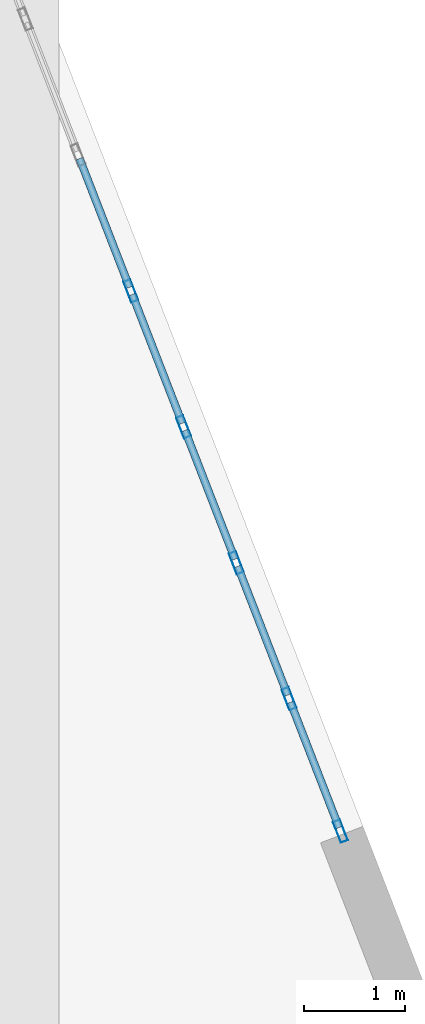
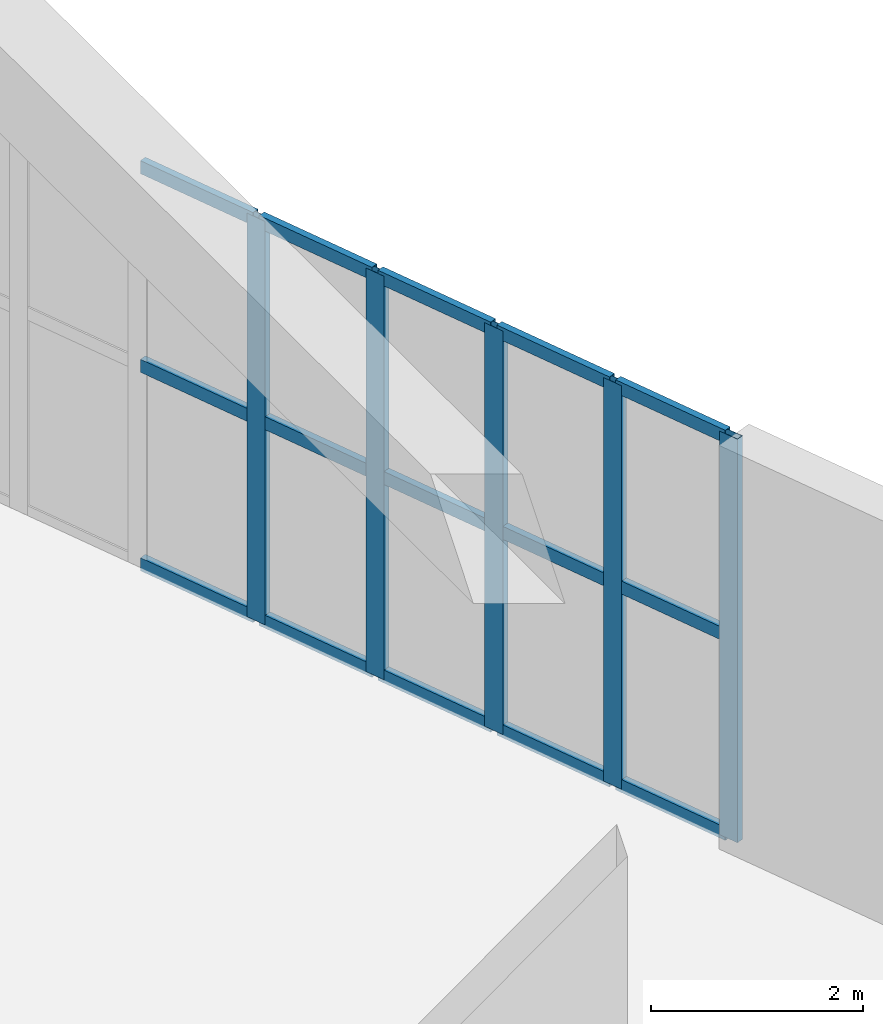
# One storey, part 21 of 35: 20 members, 1 element without a shape of its own.
"""IFC4 building model written with IfcOpenShell, lengths in metres."""

import ifcopenshell
import ifcopenshell.guid

model = None  # the IFC model being written
_history = None  # IfcOwnerHistory: only IFC2X3 demands one
_inside = {}  # id of a spatial element -> (the spatial element, [elements in it])
_under = {}  # id of a project, library or spatial element -> (it, [spatial elements below it])
_declared = {}  # id of a project -> (the project, [libraries it declares])
_typed = {}  # id of a type object -> (the type object, [elements of that type])
_made_of = {}  # id of a material, layer set ... -> (it, [elements and type objects made of it])


def new_model(schema):
    """Start an empty IFC model of exactly this schema.

    Asked for "IFC4X3", IfcOpenShell would pick the latest addendum, in which some entities
    have other attributes; the version numbers below select the first issue.
    IFC2X3 requires an IfcOwnerHistory on every rooted entity: one is made here for all.
    """
    global model, _history
    if schema == "IFC4X3":
        model = ifcopenshell.file(schema_version=(4, 3, 0, 0))
    else:
        model = ifcopenshell.file(schema=schema)
    _inside.clear()
    _under.clear()
    _declared.clear()
    _typed.clear()
    _made_of.clear()
    _history = None
    if model.schema == "IFC2X3":
        org = make("IfcOrganization", Name="unknown")
        user = make(
            "IfcPersonAndOrganization",
            ThePerson=make("IfcPerson", FamilyName="unknown"),
            TheOrganization=org,
        )
        app = make(
            "IfcApplication",
            ApplicationDeveloper=org,
            Version="unknown",
            ApplicationFullName="unknown",
            ApplicationIdentifier="unknown",
        )
        _history = make(
            "IfcOwnerHistory",
            OwningUser=user,
            OwningApplication=app,
            ChangeAction="ADDED",
            CreationDate=0,
        )
    return model


def make(cls, **values):
    """One entity of the class cls with the attributes given. An attribute that is None is left unset."""
    return model.create_entity(
        cls, **{name: value for name, value in values.items() if value is not None}
    )


def rooted(cls, **values):
    """An entity with a GlobalId (a new one), such as an element, a storey or a relation."""
    return make(cls, GlobalId=ifcopenshell.guid.new(), OwnerHistory=_history, **values)


def si_unit(unit_type, name, prefix=None):
    """IfcSIUnit, for example si_unit("LENGTHUNIT", "METRE", prefix="MILLI")."""
    return make("IfcSIUnit", UnitType=unit_type, Prefix=prefix, Name=name)


def assignment(units):
    """IfcUnitAssignment: the units of a project."""
    return None if units is None else make("IfcUnitAssignment", Units=units)


def point(xyz):
    """IfcCartesianPoint."""
    return None if xyz is None else make("IfcCartesianPoint", Coordinates=xyz)


def direction(xyz):
    """IfcDirection."""
    return None if xyz is None else make("IfcDirection", DirectionRatios=xyz)


def frame(location, z_axis=None, x_axis=None):
    """IfcAxis2Placement3D, a coordinate frame: its origin and axes. An axis left out is left unset."""
    return make(
        "IfcAxis2Placement3D",
        Location=point(location),
        Axis=direction(z_axis),
        RefDirection=direction(x_axis),
    )


def frame_2d(location, x_axis=None):
    """IfcAxis2Placement2D, a coordinate frame in the plane: its origin and x axis."""
    return make(
        "IfcAxis2Placement2D", Location=point(location), RefDirection=direction(x_axis)
    )


def origin():
    """The frame at (0, 0, 0) with its axes left unset."""
    return frame((0.0, 0.0, 0.0))


def origin_2d():
    """The frame at (0, 0) in the plane with its x axis left unset."""
    return frame_2d((0.0, 0.0))


def place(relative_to, where):
    """IfcLocalPlacement: puts the frame where relative to a parent placement (None: the world)."""
    return make(
        "IfcLocalPlacement", PlacementRelTo=relative_to, RelativePlacement=where
    )


def context(
    kind, dimensions, precision=None, world=None, true_north=None, identifier=None
):
    """IfcGeometricRepresentationContext, for example the 3D "Model" context."""
    return make(
        "IfcGeometricRepresentationContext",
        ContextIdentifier=identifier,
        ContextType=kind,
        CoordinateSpaceDimension=dimensions,
        Precision=precision,
        WorldCoordinateSystem=world,
        TrueNorth=true_north,
    )


def subcontext(parent, identifier, kind, view, scale=None):
    """IfcGeometricRepresentationSubContext, for example "Body" below "Model"."""
    return make(
        "IfcGeometricRepresentationSubContext",
        ContextIdentifier=identifier,
        ContextType=kind,
        ParentContext=parent,
        TargetScale=scale,
        TargetView=view,
    )


def project(units=None, contexts=None):
    """IfcProject with its units and contexts."""
    return rooted(
        "IfcProject",
        Name="project",
        RepresentationContexts=contexts,
        UnitsInContext=assignment(units),
    )


def spatial(cls, under=None, at=None, **own):
    """A site, building, storey or space (cls), placed at a placement, below another one or the project."""
    s = rooted(cls, ObjectPlacement=at, **own)
    if under is not None:
        _under.setdefault(under.id(), (under, []))[1].append(s)
    return s


def profile(cls, at=None, kind="AREA", **sizes):
    """A parametric profile (cls). Its sizes go by their IFC names, for example OverallWidth=200.0."""
    return make(cls, ProfileType=kind, Position=at, **sizes)


def hollow_rectangle(**sizes):
    """IfcRectangleHollowProfileDef."""
    return profile("IfcRectangleHollowProfileDef", **sizes)


def extrude(swept, where, along, depth):
    """IfcExtrudedAreaSolid: the profile swept, set in the frame where, extruded along a direction by depth."""
    return make(
        "IfcExtrudedAreaSolid",
        SweptArea=swept,
        Position=where,
        ExtrudedDirection=direction(along),
        Depth=depth,
    )


def shape(context_of_items, identifier, shape_type, items):
    """IfcShapeRepresentation: the items that make up one representation, for example the "Body"."""
    return make(
        "IfcShapeRepresentation",
        ContextOfItems=context_of_items,
        RepresentationIdentifier=identifier,
        RepresentationType=shape_type,
        Items=items,
    )


def material(Name=None, Category=None):
    """IfcMaterial."""
    return make("IfcMaterial", Name=Name, Category=Category)


def layer(
    of_material, thickness, ventilated=None, Name=None, Category=None, Priority=None
):
    """IfcMaterialLayer: one layer of a wall or slab, of a material (None: an air gap)."""
    return make(
        "IfcMaterialLayer",
        Material=of_material,
        LayerThickness=thickness,
        IsVentilated=ventilated,
        Name=Name,
        Category=Category,
        Priority=Priority,
    )


def layer_set(layers, Name=None):
    """IfcMaterialLayerSet."""
    return make("IfcMaterialLayerSet", MaterialLayers=layers, LayerSetName=Name)


def material_profile(
    of_material, cross_section, Name=None, Category=None, Priority=None
):
    """IfcMaterialProfile: a cross section and its material."""
    return make(
        "IfcMaterialProfile",
        Name=Name,
        Material=of_material,
        Profile=cross_section,
        Priority=Priority,
        Category=Category,
    )


def profile_set(profiles, Name=None, composite=None):
    """IfcMaterialProfileSet."""
    return make(
        "IfcMaterialProfileSet",
        Name=Name,
        MaterialProfiles=profiles,
        CompositeProfile=composite,
    )


def made_of(thing, what):
    """Note that an element or type object is made of a material, layer set ...; save() writes the relation."""
    if what is not None:
        _made_of.setdefault(what.id(), (what, []))[1].append(thing)
    return thing


def type_object(cls, material=None, **own):
    """A type object (cls), such as IfcWallType, which elements share."""
    return made_of(rooted(cls, **own), material)


def element(
    cls,
    number,
    at=None,
    inside=None,
    cuts=None,
    type_object=None,
    material=None,
    context=None,
    identifier="Body",
    shape_type=None,
    held_by="IfcProductDefinitionShape",
    body=None,
    shapes=None,
    **own,
):
    """One element of the class cls, such as IfcWall. Its Tag is "e" and its number.

    at: its placement. inside: the storey or other place that contains it. cuts: it is an
    opening in that element (IfcRelVoidsElement). A single representation is given by context,
    identifier, shape_type and body (its items); several are given by shapes. held_by: the class
    of the entity that holds the representations. save() writes the other relations.
    """
    e = rooted(cls, Tag="e%d" % number, ObjectPlacement=at, **own)
    if body is not None:
        shapes = [shape(context, identifier, shape_type, body)]
    if shapes is not None:
        e.Representation = make(held_by, Representations=shapes)
    if inside is not None:
        _inside.setdefault(inside.id(), (inside, []))[1].append(e)
    if cuts is not None:
        rooted(
            "IfcRelVoidsElement", RelatingBuildingElement=cuts, RelatedOpeningElement=e
        )
    if type_object is not None:
        _typed.setdefault(type_object.id(), (type_object, []))[1].append(e)
    return made_of(e, material)


def aggregate(whole, parts):
    """IfcRelAggregates: a whole, such as a stair, and the parts it consists of."""
    return rooted("IfcRelAggregates", RelatingObject=whole, RelatedObjects=parts)


def save(model, path):
    """Write the relations noted so far, then the file.

    IfcRelAggregates (storeys below a building ...), IfcRelContainedInSpatialStructure (elements
    in a storey), IfcRelDefinesByType, IfcRelAssociatesMaterial and IfcRelDeclares: one each for
    every whole, place, type object, material and project.
    """
    for whole, parts in _under.values():
        aggregate(whole, parts)
    for where, things in _inside.values():
        rooted(
            "IfcRelContainedInSpatialStructure",
            RelatedElements=things,
            RelatingStructure=where,
        )
    for kind, things in _typed.values():
        rooted("IfcRelDefinesByType", RelatedObjects=things, RelatingType=kind)
    for what, things in _made_of.values():
        rooted("IfcRelAssociatesMaterial", RelatedObjects=things, RelatingMaterial=what)
    for by, libraries in _declared.values():
        rooted("IfcRelDeclares", RelatingContext=by, RelatedDefinitions=libraries)
    model.write(path)


model = new_model("IFC4")

# Units and contexts
model_context = context("Model", 3, precision=1e-05, world=origin(), true_north=direction((0.0, 1.0)))
body_context = subcontext(model_context, "Body", "Model", "MODEL_VIEW")
ifc_project = project(units=[si_unit("LENGTHUNIT", "METRE"), si_unit("AREAUNIT", "SQUARE_METRE"), si_unit("VOLUMEUNIT", "CUBIC_METRE"), si_unit("PLANEANGLEUNIT", "RADIAN"), si_unit("MASSUNIT", "GRAM", prefix="KILO")], contexts=[model_context])

# Site, building, storey
site_placement = place(None, origin())
site = spatial("IfcSite", under=ifc_project, at=site_placement, CompositionType="ELEMENT")
building_placement = place(site_placement, origin())
building = spatial("IfcBuilding", under=site, at=building_placement, Name="Kilnhurst Terrace Hotel", CompositionType="ELEMENT")
storey_placement = place(building_placement, origin())
storey = spatial("IfcBuildingStorey", under=building, at=storey_placement, Name="L00", CompositionType="ELEMENT", Elevation=0.0)

# Curtain wall, members
ifc_material_1 = material(Name="Anodized Aluminium Alloy 6063-T6 and Low-E Glass", Category="aluminium")
ifc_layer = layer(ifc_material_1, 0.219970703125, Name="Anodized Aluminium Alloy 6063-T6 and Low-E Glass")
ifc_layer_set = layer_set([ifc_layer], Name="Anodized Aluminium Alloy 6063-T6 and Low-E Glass")
curtain_wall_type = type_object("IfcCurtainWallType", Name="CW-POD-LOBBY", PredefinedType="NOTDEFINED", material=ifc_layer_set)
curtain_wall_placement = place(storey_placement, origin())
curtain_wall = element("IfcCurtainWall", 1, at=curtain_wall_placement, inside=storey, type_object=curtain_wall_type, Name="L00 Curtain Wall CW-L00-F3-1", PredefinedType="NOTDEFINED")
ifc_material_2 = material(Name="Extruded Aluminium Alloy 6063-T6", Category="aluminium")
ifc_material_profile_1 = material_profile(ifc_material_2, hollow_rectangle(XDim=0.074951171875, YDim=0.219970703125, WallThickness=0.00390625, at=origin_2d()), Name="CWM75X220")
ifc_profile_set_1 = profile_set([ifc_material_profile_1], Name="Extruded Aluminium Alloy 6063-T6")
member_type_1 = type_object("IfcMemberType", Name="MEM-CWM75X220", PredefinedType="MULLION", material=ifc_profile_set_1)
member_1_placement = place(storey_placement, frame((30.75244140625, 9.51025390625, 0.0), z_axis=(0.0, 0.0, 1.0), x_axis=(-0.932318230572, -0.361638931731, 0.0)))
member_1 = element("IfcMember", 2, at=member_1_placement, type_object=member_type_1, Name="CWL-1 mullion 1", PredefinedType="MULLION", context=body_context, shape_type="SweptSolid", body=[
    extrude(hollow_rectangle(XDim=0.074951171875, YDim=0.219970703125, WallThickness=0.00390625, at=origin_2d()), origin(), (0.0, 0.0, 1.0), 4.64990234375),
])
member_2_placement = place(storey_placement, frame((30.24560546875, 10.81689453125, 0.0), z_axis=(0.0, 0.0, 1.0), x_axis=(-0.932318230572, -0.361638931731, 0.0)))
member_2 = element("IfcMember", 3, at=member_2_placement, type_object=member_type_1, Name="CWL-1 mullion 2", PredefinedType="MULLION", context=body_context, shape_type="SweptSolid", body=[
    extrude(hollow_rectangle(XDim=0.074951171875, YDim=0.219970703125, WallThickness=0.00390625, at=origin_2d()), origin(), (0.0, 0.0, 1.0), 4.64990234375),
])
member_3_placement = place(storey_placement, frame((29.72509765625, 12.158447265625, 0.0), z_axis=(0.0, 0.0, 1.0), x_axis=(-0.932318230572, -0.361638931731, 0.0)))
member_3 = element("IfcMember", 4, at=member_3_placement, type_object=member_type_1, Name="CWL-1 mullion 3", PredefinedType="MULLION", context=body_context, shape_type="SweptSolid", body=[
    extrude(hollow_rectangle(XDim=0.074951171875, YDim=0.219970703125, WallThickness=0.00390625, at=origin_2d()), origin(), (0.0, 0.0, 1.0), 4.64990234375),
])
member_4_placement = place(storey_placement, frame((29.20458984375, 13.5, 0.0), z_axis=(0.0, 0.0, 1.0), x_axis=(-0.932318230572, -0.361638931731, 0.0)))
member_4 = element("IfcMember", 5, at=member_4_placement, type_object=member_type_1, Name="CWL-1 mullion 4", PredefinedType="MULLION", context=body_context, shape_type="SweptSolid", body=[
    extrude(hollow_rectangle(XDim=0.074951171875, YDim=0.219970703125, WallThickness=0.00390625, at=origin_2d()), origin(), (0.0, 0.0, 1.0), 4.64990234375),
])
member_5_placement = place(storey_placement, frame((28.684326171875, 14.841552734375, 0.0), z_axis=(0.0, 0.0, 1.0), x_axis=(-0.932318230572, -0.361638931731, 0.0)))
member_5 = element("IfcMember", 6, at=member_5_placement, type_object=member_type_1, Name="CWL-1 mullion 5", PredefinedType="MULLION", context=body_context, shape_type="SweptSolid", body=[
    extrude(hollow_rectangle(XDim=0.074951171875, YDim=0.219970703125, WallThickness=0.00390625, at=origin_2d()), origin(), (0.0, 0.0, 1.0), 4.64990234375),
])
ifc_material_profile_2 = material_profile(ifc_material_2, hollow_rectangle(XDim=0.074951171875, YDim=0.14990234375, WallThickness=0.00390625, at=origin_2d()), Name="CWT75X150")
ifc_profile_set_2 = profile_set([ifc_material_profile_2], Name="Extruded Aluminium Alloy 6063-T6")
member_type_2 = type_object("IfcMemberType", Name="MEM-CWT75X150", PredefinedType="USERDEFINED", material=ifc_profile_set_2)
member_6_placement = place(storey_placement, frame((30.73876953125, 9.545166015625, 0.03759765625), z_axis=(-0.3616911232, 0.932297984229, 0.0), x_axis=(-0.932297984229, -0.3616911232, 0.0)))
member_6 = element("IfcMember", 7, at=member_6_placement, type_object=member_type_2, Name="CWL-1 transom 1.1", ObjectType="TRANSOM", PredefinedType="USERDEFINED", context=body_context, shape_type="SweptSolid", body=[
    extrude(hollow_rectangle(XDim=0.074951171875, YDim=0.14990234375, WallThickness=0.00390625, at=origin_2d()), origin(), (0.0, 0.0, 1.0), 1.326416015625),
])
member_7_placement = place(storey_placement, frame((30.73876953125, 9.545166015625, 2.324951171875), z_axis=(-0.3616911232, 0.932297984229, 0.0), x_axis=(-0.932297984229, -0.3616911232, 0.0)))
member_7 = element("IfcMember", 8, at=member_7_placement, type_object=member_type_2, Name="CWL-1 transom 1.2", ObjectType="TRANSOM", PredefinedType="USERDEFINED", context=body_context, shape_type="SweptSolid", body=[
    extrude(hollow_rectangle(XDim=0.074951171875, YDim=0.14990234375, WallThickness=0.00390625, at=origin_2d()), origin(), (0.0, 0.0, 1.0), 1.326416015625),
])
member_8_placement = place(storey_placement, frame((30.73876953125, 9.545166015625, 4.612548828125), z_axis=(-0.3616911232, 0.932297984229, 0.0), x_axis=(-0.932297984229, -0.3616911232, 0.0)))
member_8 = element("IfcMember", 9, at=member_8_placement, type_object=member_type_2, Name="CWL-1 transom 1.3", ObjectType="TRANSOM", PredefinedType="USERDEFINED", context=body_context, shape_type="SweptSolid", body=[
    extrude(hollow_rectangle(XDim=0.074951171875, YDim=0.14990234375, WallThickness=0.00390625, at=origin_2d()), origin(), (0.0, 0.0, 1.0), 1.326416015625),
])
member_9_placement = place(storey_placement, frame((30.23193359375, 10.851806640625, 0.03759765625), z_axis=(-0.361556432835, 0.932350227048, 0.0), x_axis=(-0.932350227048, -0.361556432835, 0.0)))
member_9 = element("IfcMember", 10, at=member_9_placement, type_object=member_type_2, Name="CWL-1 transom 2.1", ObjectType="TRANSOM", PredefinedType="USERDEFINED", context=body_context, shape_type="SweptSolid", body=[
    extrude(hollow_rectangle(XDim=0.074951171875, YDim=0.14990234375, WallThickness=0.00390625, at=origin_2d()), origin(), (0.0, 0.0, 1.0), 1.364013671875),
])
member_10_placement = place(storey_placement, frame((30.23193359375, 10.851806640625, 2.324951171875), z_axis=(-0.361556432835, 0.932350227048, 0.0), x_axis=(-0.932350227048, -0.361556432835, 0.0)))
member_10 = element("IfcMember", 11, at=member_10_placement, type_object=member_type_2, Name="CWL-1 transom 2.2", ObjectType="TRANSOM", PredefinedType="USERDEFINED", context=body_context, shape_type="SweptSolid", body=[
    extrude(hollow_rectangle(XDim=0.074951171875, YDim=0.14990234375, WallThickness=0.00390625, at=origin_2d()), origin(), (0.0, 0.0, 1.0), 1.364013671875),
])
member_11_placement = place(storey_placement, frame((30.23193359375, 10.851806640625, 4.612548828125), z_axis=(-0.361556432835, 0.932350227048, 0.0), x_axis=(-0.932350227048, -0.361556432835, 0.0)))
member_11 = element("IfcMember", 12, at=member_11_placement, type_object=member_type_2, Name="CWL-1 transom 2.3", ObjectType="TRANSOM", PredefinedType="USERDEFINED", context=body_context, shape_type="SweptSolid", body=[
    extrude(hollow_rectangle(XDim=0.074951171875, YDim=0.14990234375, WallThickness=0.00390625, at=origin_2d()), origin(), (0.0, 0.0, 1.0), 1.364013671875),
])
member_12_placement = place(storey_placement, frame((29.71142578125, 12.193359375, 0.03759765625), z_axis=(-0.361556432835, 0.932350227048, 0.0), x_axis=(-0.932350227048, -0.361556432835, 0.0)))
member_12 = element("IfcMember", 13, at=member_12_placement, type_object=member_type_2, Name="CWL-1 transom 3.1", ObjectType="TRANSOM", PredefinedType="USERDEFINED", context=body_context, shape_type="SweptSolid", body=[
    extrude(hollow_rectangle(XDim=0.074951171875, YDim=0.14990234375, WallThickness=0.00390625, at=origin_2d()), origin(), (0.0, 0.0, 1.0), 1.364013671875),
])
member_13_placement = place(storey_placement, frame((29.71142578125, 12.193359375, 2.324951171875), z_axis=(-0.361556432835, 0.932350227048, 0.0), x_axis=(-0.932350227048, -0.361556432835, 0.0)))
member_13 = element("IfcMember", 14, at=member_13_placement, type_object=member_type_2, Name="CWL-1 transom 3.2", ObjectType="TRANSOM", PredefinedType="USERDEFINED", context=body_context, shape_type="SweptSolid", body=[
    extrude(hollow_rectangle(XDim=0.074951171875, YDim=0.14990234375, WallThickness=0.00390625, at=origin_2d()), origin(), (0.0, 0.0, 1.0), 1.364013671875),
])
member_14_placement = place(storey_placement, frame((29.71142578125, 12.193359375, 4.612548828125), z_axis=(-0.361556432835, 0.932350227048, 0.0), x_axis=(-0.932350227048, -0.361556432835, 0.0)))
member_14 = element("IfcMember", 15, at=member_14_placement, type_object=member_type_2, Name="CWL-1 transom 3.3", ObjectType="TRANSOM", PredefinedType="USERDEFINED", context=body_context, shape_type="SweptSolid", body=[
    extrude(hollow_rectangle(XDim=0.074951171875, YDim=0.14990234375, WallThickness=0.00390625, at=origin_2d()), origin(), (0.0, 0.0, 1.0), 1.364013671875),
])
member_15_placement = place(storey_placement, frame((29.191162109375, 13.534912109375, 0.03759765625), z_axis=(-0.361712008162, 0.932289881502, 0.0), x_axis=(-0.932289881502, -0.361712008162, 0.0)))
member_15 = element("IfcMember", 16, at=member_15_placement, type_object=member_type_2, Name="CWL-1 transom 4.1", ObjectType="TRANSOM", PredefinedType="USERDEFINED", context=body_context, shape_type="SweptSolid", body=[
    extrude(hollow_rectangle(XDim=0.074951171875, YDim=0.14990234375, WallThickness=0.00390625, at=origin_2d()), origin(), (0.0, 0.0, 1.0), 1.364013671875),
])
member_16_placement = place(storey_placement, frame((29.191162109375, 13.534912109375, 2.324951171875), z_axis=(-0.361712008162, 0.932289881502, 0.0), x_axis=(-0.932289881502, -0.361712008162, 0.0)))
member_16 = element("IfcMember", 17, at=member_16_placement, type_object=member_type_2, Name="CWL-1 transom 4.2", ObjectType="TRANSOM", PredefinedType="USERDEFINED", context=body_context, shape_type="SweptSolid", body=[
    extrude(hollow_rectangle(XDim=0.074951171875, YDim=0.14990234375, WallThickness=0.00390625, at=origin_2d()), origin(), (0.0, 0.0, 1.0), 1.364013671875),
])
member_17_placement = place(storey_placement, frame((29.191162109375, 13.534912109375, 4.612548828125), z_axis=(-0.361712008162, 0.932289881502, 0.0), x_axis=(-0.932289881502, -0.361712008162, 0.0)))
member_17 = element("IfcMember", 18, at=member_17_placement, type_object=member_type_2, Name="CWL-1 transom 4.3", ObjectType="TRANSOM", PredefinedType="USERDEFINED", context=body_context, shape_type="SweptSolid", body=[
    extrude(hollow_rectangle(XDim=0.074951171875, YDim=0.14990234375, WallThickness=0.00390625, at=origin_2d()), origin(), (0.0, 0.0, 1.0), 1.364013671875),
])
member_18_placement = place(storey_placement, frame((28.670654296875, 14.876708984375, 0.03759765625), z_axis=(-0.361616778618, 0.932326823288, 0.0), x_axis=(-0.932326823288, -0.361616778618, 0.0)))
member_18 = element("IfcMember", 19, at=member_18_placement, type_object=member_type_2, Name="CWL-1 transom 5.1", ObjectType="TRANSOM", PredefinedType="USERDEFINED", context=body_context, shape_type="SweptSolid", body=[
    extrude(hollow_rectangle(XDim=0.074951171875, YDim=0.14990234375, WallThickness=0.00390625, at=origin_2d()), origin(), (0.0, 0.0, 1.0), 1.36376953125),
])
member_19_placement = place(storey_placement, frame((28.670654296875, 14.876708984375, 2.324951171875), z_axis=(-0.361616778618, 0.932326823288, 0.0), x_axis=(-0.932326823288, -0.361616778618, 0.0)))
member_19 = element("IfcMember", 20, at=member_19_placement, type_object=member_type_2, Name="CWL-1 transom 5.2", ObjectType="TRANSOM", PredefinedType="USERDEFINED", context=body_context, shape_type="SweptSolid", body=[
    extrude(hollow_rectangle(XDim=0.074951171875, YDim=0.14990234375, WallThickness=0.00390625, at=origin_2d()), origin(), (0.0, 0.0, 1.0), 1.36376953125),
])
member_20_placement = place(storey_placement, frame((28.670654296875, 14.876708984375, 4.612548828125), z_axis=(-0.361616778618, 0.932326823288, 0.0), x_axis=(-0.932326823288, -0.361616778618, 0.0)))
member_20 = element("IfcMember", 21, at=member_20_placement, type_object=member_type_2, Name="CWL-1 transom 5.3", ObjectType="TRANSOM", PredefinedType="USERDEFINED", context=body_context, shape_type="SweptSolid", body=[
    extrude(hollow_rectangle(XDim=0.074951171875, YDim=0.14990234375, WallThickness=0.00390625, at=origin_2d()), origin(), (0.0, 0.0, 1.0), 1.36376953125),
])
aggregate(curtain_wall, [member_1, member_2, member_3, member_4, member_5, member_6, member_7, member_8, member_9, member_10, member_11, member_12, member_13, member_14, member_15, member_16, member_17, member_18, member_19, member_20])

save(model, "model.ifc")
